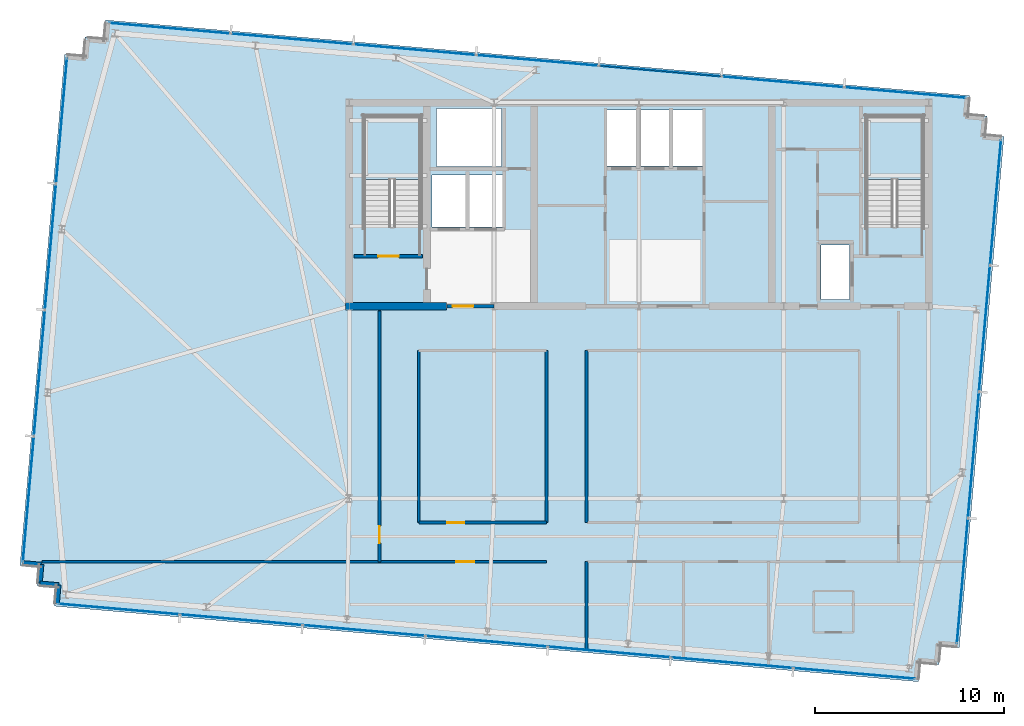
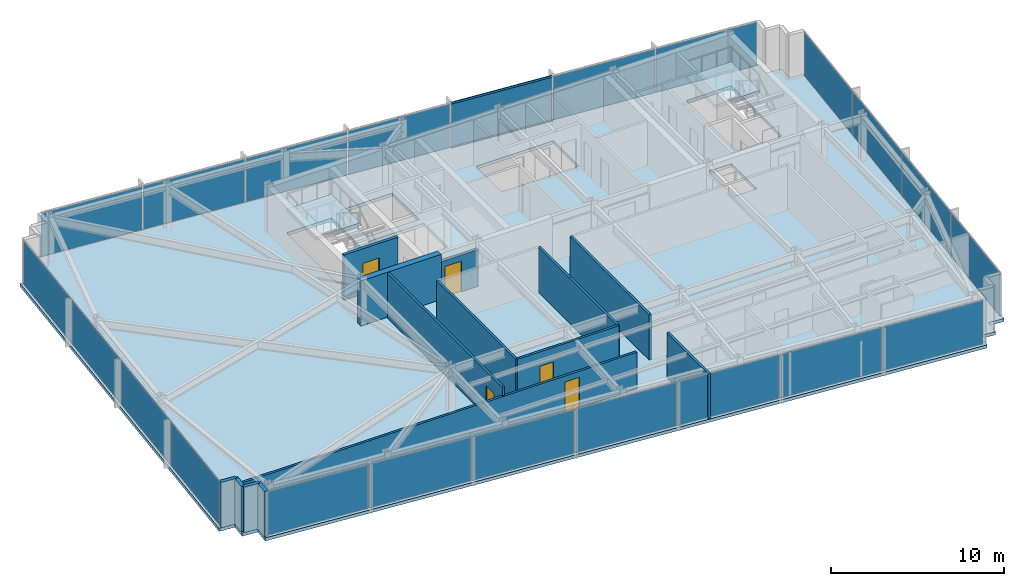
# One storey, part 26 of 32: 22 plates, 14 walls, 5 doors, 3 slabs, 2 members, 5 openings, 6 elements without a shape of their own.
"""IFC4 building model written with IfcOpenShell, lengths in metres."""

from ifc_helpers import new_model, si_unit, direction, frame, frame_2d, origin, origin_2d, place, context, subcontext, project, spatial, polyline, rectangle, hollow_rectangle, outline, extrude, material, layer, layer_set, material_profile, profile_set, type_object, element, fill, aggregate, save


model = new_model("IFC4")

# Units and contexts
model_context = context("Model", 3, precision=1e-05, world=origin(), true_north=direction((0.0, 1.0)))
body_context = subcontext(model_context, "Body", "Model", "MODEL_VIEW")
ifc_project = project(units=[si_unit("LENGTHUNIT", "METRE"), si_unit("AREAUNIT", "SQUARE_METRE"), si_unit("VOLUMEUNIT", "CUBIC_METRE"), si_unit("PLANEANGLEUNIT", "RADIAN"), si_unit("MASSUNIT", "GRAM", prefix="KILO")], contexts=[model_context])

# Site, building, storey
site_placement = place(None, origin())
site = spatial("IfcSite", under=ifc_project, at=site_placement, CompositionType="ELEMENT")
building_placement = place(site_placement, origin())
building = spatial("IfcBuilding", under=site, at=building_placement, Name="Yelkora Congress Tower", CompositionType="ELEMENT")
storey_placement = place(building_placement, frame((0.0, 0.0, 276.10009765625)))
storey = spatial("IfcBuildingStorey", under=building, at=storey_placement, Name="L77", CompositionType="ELEMENT", Elevation=276.10009765625)

# Curtain wall, members
ifc_material_1 = material(Name="Anodised aluminium and insulated glass", Category="aluminium")
curtain_wall_type = type_object("IfcCurtainWallType", Name="CW-SYS-B5", PredefinedType="NOTDEFINED", material=ifc_material_1)
curtain_wall_1_placement = place(storey_placement, origin())
curtain_wall_1 = element("IfcCurtainWall", 1, at=curtain_wall_1_placement, inside=storey, type_object=curtain_wall_type, Name="L77 Unitised Curtain Wall 10", PredefinedType="NOTDEFINED")
ifc_material_2 = material(Name="Anodised aluminium 6063-T6", Category="aluminium")
ifc_material_profile = material_profile(ifc_material_2, hollow_rectangle(XDim=0.06005859375, YDim=0.1298828125, WallThickness=0.00390625, at=origin_2d()), Name="ALU 60x130x4")
ifc_profile_set = profile_set([ifc_material_profile], Name="Anodised aluminium 6063-T6")
member_type = type_object("IfcMemberType", Name="MEM-TR-B5", PredefinedType="USERDEFINED", material=ifc_profile_set)
member_1_placement = place(storey_placement, frame((36.298583984375, 48.14794921875, 0.02978515625), z_axis=(0.996192979814, -0.08717538052, 0.0), x_axis=(0.08717538052, 0.996192979814, 0.0)))
member_1 = element("IfcMember", 2, at=member_1_placement, type_object=member_type, Name="CW-B5 transom 5.1", ObjectType="TRANSOM", PredefinedType="USERDEFINED", context=body_context, shape_type="SweptSolid", body=[
    extrude(hollow_rectangle(XDim=0.06005859375, YDim=0.1298828125, WallThickness=0.00390625, at=origin_2d()), origin(), (0.0, 0.0, 1.0), 6.466552734375),
])
member_2_placement = place(storey_placement, frame((36.298583984375, 48.14794921875, 3.14990234375), z_axis=(0.996192979814, -0.08717538052, 0.0), x_axis=(0.08717538052, 0.996192979814, 0.0)))
member_2 = element("IfcMember", 3, at=member_2_placement, type_object=member_type, Name="CW-B5 transom 5.2", ObjectType="TRANSOM", PredefinedType="USERDEFINED", context=body_context, shape_type="SweptSolid", body=[
    extrude(hollow_rectangle(XDim=0.06005859375, YDim=0.1298828125, WallThickness=0.00390625, at=origin_2d()), origin(), (0.0, 0.0, 1.0), 6.466552734375),
])

# Curtain wall, plates
curtain_wall_2_placement = place(storey_placement, origin())
curtain_wall_2 = element("IfcCurtainWall", 4, at=curtain_wall_2_placement, inside=storey, type_object=curtain_wall_type, Name="L77 Unitised Curtain Wall 5", PredefinedType="NOTDEFINED")
ifc_material_3 = material(Name="High-altitude triple glazed unit B5", Category="glass")
ifc_layer_1 = layer(ifc_material_3, 0.033935546875)
ifc_layer_set_1 = layer_set([ifc_layer_1], Name="High-altitude triple glazed unit B5")
plate_type = type_object("IfcPlateType", Name="PLT-PN-B5", PredefinedType="CURTAIN_PANEL", material=ifc_layer_set_1)
plate_1_placement = place(storey_placement, frame((6.021728515625, 25.16064453125, 0.059814453125), z_axis=(0.0, 0.0, 1.0), x_axis=(0.08715473876, 0.996194785929, 0.0)))
plate_1 = element("IfcPlate", 5, at=plate_1_placement, type_object=plate_type, Name="CW-B5 panel 1.1", PredefinedType="CURTAIN_PANEL", context=body_context, shape_type="SweptSolid", body=[
    extrude(rectangle(XDim=6.632568359375, YDim=0.033935546875, at=origin_2d()), origin(), (0.0, 0.0, 1.0), 3.06005859375),
])
plate_2_placement = place(storey_placement, frame((6.60693359375, 31.848876953125, 0.059814453125), z_axis=(0.0, 0.0, 1.0), x_axis=(0.08715473876, 0.996194785929, 0.0)))
plate_2 = element("IfcPlate", 6, at=plate_2_placement, type_object=plate_type, Name="CW-B5 panel 2.1", PredefinedType="CURTAIN_PANEL", context=body_context, shape_type="SweptSolid", body=[
    extrude(rectangle(XDim=6.6650390625, YDim=0.033935546875, at=origin_2d()), origin(), (0.0, 0.0, 1.0), 3.06005859375),
])
plate_3_placement = place(storey_placement, frame((7.193359375, 38.55322265625, 0.059814453125), z_axis=(0.0, 0.0, 1.0), x_axis=(0.08715473876, 0.996194785929, 0.0)))
plate_3 = element("IfcPlate", 7, at=plate_3_placement, type_object=plate_type, Name="CW-B5 panel 3.1", PredefinedType="CURTAIN_PANEL", context=body_context, shape_type="SweptSolid", body=[
    extrude(rectangle(XDim=6.6650390625, YDim=0.033935546875, at=origin_2d()), origin(), (0.0, 0.0, 1.0), 3.06005859375),
])
plate_4_placement = place(storey_placement, frame((7.778564453125, 45.2412109375, 0.059814453125), z_axis=(0.0, 0.0, 1.0), x_axis=(0.08715473876, 0.996194785929, 0.0)))
plate_4 = element("IfcPlate", 8, at=plate_4_placement, type_object=plate_type, Name="CW-B5 panel 4.1", PredefinedType="CURTAIN_PANEL", context=body_context, shape_type="SweptSolid", body=[
    extrude(rectangle(XDim=6.632568359375, YDim=0.033935546875, at=origin_2d()), origin(), (0.0, 0.0, 1.0), 3.06005859375),
])
aggregate(curtain_wall_2, [plate_1, plate_2, plate_3, plate_4])

# Plate
plate_5_placement = place(storey_placement, frame((13.509521484375, 50.141845703125, 0.059814453125), z_axis=(0.0, 0.0, 1.0), x_axis=(0.996194619601, -0.087156639893, 0.0)))
plate_5 = element("IfcPlate", 9, at=plate_5_placement, type_object=plate_type, Name="CW-B5 panel 1.1", PredefinedType="CURTAIN_PANEL", context=body_context, shape_type="SweptSolid", body=[
    extrude(rectangle(XDim=6.433837890625, YDim=0.033935546875, at=origin_2d()), origin(), (0.0, 0.0, 1.0), 3.06005859375),
])

plate_6_placement = place(storey_placement, frame((19.999755859375, 49.573974609375, 0.059814453125), z_axis=(0.0, 0.0, 1.0), x_axis=(0.996194619601, -0.087156639893, 0.0)))
plate_6 = element("IfcPlate", 10, at=plate_6_placement, type_object=plate_type, Name="CW-B5 panel 2.1", PredefinedType="CURTAIN_PANEL", context=body_context, shape_type="SweptSolid", body=[
    extrude(rectangle(XDim=6.46630859375, YDim=0.033935546875, at=origin_2d()), origin(), (0.0, 0.0, 1.0), 3.06005859375),
])

plate_7_placement = place(storey_placement, frame((26.50634765625, 49.004638671875, 0.059814453125), z_axis=(0.0, 0.0, 1.0), x_axis=(0.996194619601, -0.087156639893, 0.0)))
plate_7 = element("IfcPlate", 11, at=plate_7_placement, type_object=plate_type, Name="CW-B5 panel 3.1", PredefinedType="CURTAIN_PANEL", context=body_context, shape_type="SweptSolid", body=[
    extrude(rectangle(XDim=6.46630859375, YDim=0.033935546875, at=origin_2d()), origin(), (0.0, 0.0, 1.0), 3.06005859375),
])

plate_8_placement = place(storey_placement, frame((33.012939453125, 48.435302734375, 0.059814453125), z_axis=(0.0, 0.0, 1.0), x_axis=(0.996194619601, -0.087156639893, 0.0)))
plate_8 = element("IfcPlate", 12, at=plate_8_placement, type_object=plate_type, Name="CW-B5 panel 4.1", PredefinedType="CURTAIN_PANEL", context=body_context, shape_type="SweptSolid", body=[
    extrude(rectangle(XDim=6.46630859375, YDim=0.033935546875, at=origin_2d()), origin(), (0.0, 0.0, 1.0), 3.06005859375),
])

plate_9_placement = place(storey_placement, frame((39.51953125, 47.8662109375, 0.059814453125), z_axis=(0.0, 0.0, 1.0), x_axis=(0.996194619601, -0.087156639893, 0.0)))
plate_9 = element("IfcPlate", 13, at=plate_9_placement, type_object=plate_type, Name="CW-B5 panel 5.1", PredefinedType="CURTAIN_PANEL", context=body_context, shape_type="SweptSolid", body=[
    extrude(rectangle(XDim=6.46630859375, YDim=0.033935546875, at=origin_2d()), origin(), (0.0, 0.0, 1.0), 3.06005859375),
])

plate_10_placement = place(storey_placement, frame((46.026123046875, 47.296875, 0.059814453125), z_axis=(0.0, 0.0, 1.0), x_axis=(0.996194619601, -0.087156639893, 0.0)))
plate_10 = element("IfcPlate", 14, at=plate_10_placement, type_object=plate_type, Name="CW-B5 panel 6.1", PredefinedType="CURTAIN_PANEL", context=body_context, shape_type="SweptSolid", body=[
    extrude(rectangle(XDim=6.46630859375, YDim=0.033935546875, at=origin_2d()), origin(), (0.0, 0.0, 1.0), 3.06005859375),
])

plate_11_placement = place(storey_placement, frame((52.5166015625, 46.72900390625, 0.059814453125), z_axis=(0.0, 0.0, 1.0), x_axis=(0.996194619601, -0.087156639893, 0.0)))
plate_11 = element("IfcPlate", 15, at=plate_11_placement, type_object=plate_type, Name="CW-B5 panel 7.1", PredefinedType="CURTAIN_PANEL", context=body_context, shape_type="SweptSolid", body=[
    extrude(rectangle(XDim=6.433837890625, YDim=0.033935546875, at=origin_2d()), origin(), (0.0, 0.0, 1.0), 3.06005859375),
])

aggregate(curtain_wall_1, [plate_5, plate_6, plate_7, plate_8, member_1, member_2, plate_9, plate_10, plate_11])

# Curtain wall, plates
curtain_wall_3_placement = place(storey_placement, origin())
curtain_wall_3 = element("IfcCurtainWall", 16, at=curtain_wall_3_placement, inside=storey, type_object=curtain_wall_type, Name="L77 Unitised Curtain Wall 15", PredefinedType="NOTDEFINED")
plate_12_placement = place(storey_placement, frame((57.309326171875, 40.907958984375, 0.059814453125), z_axis=(0.0, 0.0, 1.0), x_axis=(-0.087158425264, -0.996194463398, 0.0)))
plate_12 = element("IfcPlate", 17, at=plate_12_placement, type_object=plate_type, Name="CW-B5 panel 1.1", PredefinedType="CURTAIN_PANEL", context=body_context, shape_type="SweptSolid", body=[
    extrude(rectangle(XDim=6.632568359375, YDim=0.033935546875, at=origin_2d()), origin(), (0.0, 0.0, 1.0), 3.06005859375),
])
plate_13_placement = place(storey_placement, frame((56.72412109375, 34.2197265625, 0.059814453125), z_axis=(0.0, 0.0, 1.0), x_axis=(-0.087158425264, -0.996194463398, 0.0)))
plate_13 = element("IfcPlate", 18, at=plate_13_placement, type_object=plate_type, Name="CW-B5 panel 2.1", PredefinedType="CURTAIN_PANEL", context=body_context, shape_type="SweptSolid", body=[
    extrude(rectangle(XDim=6.6650390625, YDim=0.033935546875, at=origin_2d()), origin(), (0.0, 0.0, 1.0), 3.06005859375),
])
plate_14_placement = place(storey_placement, frame((56.1376953125, 27.515380859375, 0.059814453125), z_axis=(0.0, 0.0, 1.0), x_axis=(-0.087158425264, -0.996194463398, 0.0)))
plate_14 = element("IfcPlate", 19, at=plate_14_placement, type_object=plate_type, Name="CW-B5 panel 3.1", PredefinedType="CURTAIN_PANEL", context=body_context, shape_type="SweptSolid", body=[
    extrude(rectangle(XDim=6.6650390625, YDim=0.033935546875, at=origin_2d()), origin(), (0.0, 0.0, 1.0), 3.06005859375),
])
plate_15_placement = place(storey_placement, frame((55.552490234375, 20.8271484375, 0.059814453125), z_axis=(0.0, 0.0, 1.0), x_axis=(-0.087158425264, -0.996194463398, 0.0)))
plate_15 = element("IfcPlate", 20, at=plate_15_placement, type_object=plate_type, Name="CW-B5 panel 4.1", PredefinedType="CURTAIN_PANEL", context=body_context, shape_type="SweptSolid", body=[
    extrude(rectangle(XDim=6.632568359375, YDim=0.033935546875, at=origin_2d()), origin(), (0.0, 0.0, 1.0), 3.06005859375),
])
aggregate(curtain_wall_3, [plate_12, plate_13, plate_14, plate_15])

curtain_wall_4_placement = place(storey_placement, origin())
curtain_wall_4 = element("IfcCurtainWall", 21, at=curtain_wall_4_placement, inside=storey, type_object=curtain_wall_type, Name="L77 Unitised Curtain Wall 20", PredefinedType="NOTDEFINED")
plate_16_placement = place(storey_placement, frame((49.821533203125, 15.9267578125, 0.059814453125), z_axis=(0.0, 0.0, 1.0), x_axis=(-0.996194602987, 0.087156829793, 0.0)))
plate_16 = element("IfcPlate", 22, at=plate_16_placement, type_object=plate_type, Name="CW-B5 panel 1.1", PredefinedType="CURTAIN_PANEL", context=body_context, shape_type="SweptSolid", body=[
    extrude(rectangle(XDim=6.433837890625, YDim=0.033935546875, at=origin_2d()), origin(), (0.0, 0.0, 1.0), 3.06005859375),
])
plate_17_placement = place(storey_placement, frame((43.331298828125, 16.49462890625, 0.059814453125), z_axis=(0.0, 0.0, 1.0), x_axis=(-0.996194602987, 0.087156829793, 0.0)))
plate_17 = element("IfcPlate", 23, at=plate_17_placement, type_object=plate_type, Name="CW-B5 panel 2.1", PredefinedType="CURTAIN_PANEL", context=body_context, shape_type="SweptSolid", body=[
    extrude(rectangle(XDim=6.46630859375, YDim=0.033935546875, at=origin_2d()), origin(), (0.0, 0.0, 1.0), 3.06005859375),
])
plate_18_placement = place(storey_placement, frame((36.82470703125, 17.06396484375, 0.059814453125), z_axis=(0.0, 0.0, 1.0), x_axis=(-0.996194602987, 0.087156829793, 0.0)))
plate_18 = element("IfcPlate", 24, at=plate_18_placement, type_object=plate_type, Name="CW-B5 panel 3.1", PredefinedType="CURTAIN_PANEL", context=body_context, shape_type="SweptSolid", body=[
    extrude(rectangle(XDim=6.46630859375, YDim=0.033935546875, at=origin_2d()), origin(), (0.0, 0.0, 1.0), 3.06005859375),
])
plate_19_placement = place(storey_placement, frame((30.318115234375, 17.633056640625, 0.059814453125), z_axis=(0.0, 0.0, 1.0), x_axis=(-0.996194602987, 0.087156829793, 0.0)))
plate_19 = element("IfcPlate", 25, at=plate_19_placement, type_object=plate_type, Name="CW-B5 panel 4.1", PredefinedType="CURTAIN_PANEL", context=body_context, shape_type="SweptSolid", body=[
    extrude(rectangle(XDim=6.46630859375, YDim=0.033935546875, at=origin_2d()), origin(), (0.0, 0.0, 1.0), 3.06005859375),
])
plate_20_placement = place(storey_placement, frame((23.8115234375, 18.202392578125, 0.059814453125), z_axis=(0.0, 0.0, 1.0), x_axis=(-0.996194602987, 0.087156829793, 0.0)))
plate_20 = element("IfcPlate", 26, at=plate_20_placement, type_object=plate_type, Name="CW-B5 panel 5.1", PredefinedType="CURTAIN_PANEL", context=body_context, shape_type="SweptSolid", body=[
    extrude(rectangle(XDim=6.46630859375, YDim=0.033935546875, at=origin_2d()), origin(), (0.0, 0.0, 1.0), 3.06005859375),
])
plate_21_placement = place(storey_placement, frame((17.304931640625, 18.771728515625, 0.059814453125), z_axis=(0.0, 0.0, 1.0), x_axis=(-0.996194602987, 0.087156829793, 0.0)))
plate_21 = element("IfcPlate", 27, at=plate_21_placement, type_object=plate_type, Name="CW-B5 panel 6.1", PredefinedType="CURTAIN_PANEL", context=body_context, shape_type="SweptSolid", body=[
    extrude(rectangle(XDim=6.46630859375, YDim=0.033935546875, at=origin_2d()), origin(), (0.0, 0.0, 1.0), 3.06005859375),
])
plate_22_placement = place(storey_placement, frame((10.814697265625, 19.33935546875, 0.059814453125), z_axis=(0.0, 0.0, 1.0), x_axis=(-0.996194602987, 0.087156829793, 0.0)))
plate_22 = element("IfcPlate", 28, at=plate_22_placement, type_object=plate_type, Name="CW-B5 panel 7.1", PredefinedType="CURTAIN_PANEL", context=body_context, shape_type="SweptSolid", body=[
    extrude(rectangle(XDim=6.433837890625, YDim=0.033935546875, at=origin_2d()), origin(), (0.0, 0.0, 1.0), 3.06005859375),
])
aggregate(curtain_wall_4, [plate_16, plate_17, plate_18, plate_19, plate_20, plate_21, plate_22])

# Stair, slab
ifc_material_4 = material(Name="Concrete C40/50", Category="concrete")
stair_type = type_object("IfcStairType", Name="STAIR-HT-1420-R20-170", PredefinedType="HALF_TURN_STAIR", material=ifc_material_4)
stair_1_placement = place(storey_placement, origin())
stair_1 = element("IfcStair", 29, at=stair_1_placement, inside=storey, type_object=stair_type, Name="West Core Protected Exit Stair ST-01 (L77)", PredefinedType="HALF_TURN_STAIR")
ifc_layer_2 = layer(ifc_material_4, 0.219970703125)
ifc_layer_set_2 = layer_set([ifc_layer_2], Name="Concrete C40/50")
slab_type_1 = type_object("IfcSlabType", Name="SLAB-LANDING-220", PredefinedType="LANDING", material=ifc_layer_set_2)
slab_1_placement = place(storey_placement, frame((0.0, 0.0, 1.47998046875)))
slab_1 = element("IfcSlab", 30, at=slab_1_placement, type_object=slab_type_1, Name="ST-01 L77 Half Landing 1", PredefinedType="LANDING", context=body_context, shape_type="SweptSolid", body=[
    extrude(outline(polyline([(26.820068359375, 42.1201171875), (26.820068359375, 45.469970703125), (23.820068359375, 45.469970703125), (23.820068359375, 42.1201171875), (26.820068359375, 42.1201171875)])), origin(), (0.0, 0.0, 1.0), 0.219970703125),
])
aggregate(stair_1, [slab_1])

stair_2_placement = place(storey_placement, origin())
stair_2 = element("IfcStair", 31, at=stair_2_placement, inside=storey, type_object=stair_type, Name="East Core Protected Exit Stair ST-02 (L77)", PredefinedType="HALF_TURN_STAIR")
slab_2_placement = place(storey_placement, frame((0.0, 0.0, 1.47998046875)))
slab_2 = element("IfcSlab", 32, at=slab_2_placement, type_object=slab_type_1, Name="ST-02 L77 Half Landing 1", PredefinedType="LANDING", context=body_context, shape_type="SweptSolid", body=[
    extrude(outline(polyline([(53.4599609375, 42.1201171875), (53.4599609375, 45.469970703125), (50.4599609375, 45.469970703125), (50.4599609375, 42.1201171875), (53.4599609375, 42.1201171875)])), origin(), (0.0, 0.0, 1.0), 0.219970703125),
])
aggregate(stair_2, [slab_2])

# Slab
ifc_layer_3 = layer(ifc_material_4, 0.219970703125)
ifc_layer_set_3 = layer_set([ifc_layer_3], Name="Concrete C40/50")
slab_type_2 = type_object("IfcSlabType", Name="SLAB-TWR-220", PredefinedType="FLOOR", material=ifc_layer_set_3)
slab_3_placement = place(storey_placement, frame((0.0, 0.0, -0.22021484375)))
element("IfcSlab", 33, at=slab_3_placement, inside=storey, type_object=slab_type_2, Name="L77 Structural Floor Slab", PredefinedType="FLOOR", context=body_context, shape_type="SweptSolid", body=[
    extrude(outline(polyline([(7.3935546875, 19.498291015625), (53.218505859375, 15.489013671875), (53.3056640625, 16.485107421875), (54.3017578125, 16.398193359375), (54.388916015625, 17.394287109375), (55.385009765625, 17.30712890625), (57.755859375, 44.403564453125), (56.759521484375, 44.49072265625), (56.8466796875, 45.487060546875), (55.8505859375, 45.57421875), (55.937744140625, 46.5703125), (10.11279296875, 50.57958984375), (10.025634765625, 49.583251953125), (9.029296875, 49.67041015625), (8.942138671875, 48.67431640625), (7.946044921875, 48.761474609375), (5.575439453125, 21.664794921875), (6.571533203125, 21.57763671875), (6.484619140625, 20.58154296875), (7.480712890625, 20.494384765625), (7.3935546875, 19.498291015625)]), holes=[polyline([(23.820068359375, 39.6298828125), (26.820068359375, 39.6298828125), (26.820068359375, 45.469970703125), (23.820068359375, 45.469970703125), (23.820068359375, 39.6298828125)]), polyline([(50.4599609375, 39.6298828125), (53.4599609375, 39.6298828125), (53.4599609375, 45.469970703125), (50.4599609375, 45.469970703125), (50.4599609375, 39.6298828125)]), polyline([(48.050048828125, 35.75), (49.550048828125, 35.75), (49.550048828125, 38.64990234375), (48.050048828125, 38.64990234375), (48.050048828125, 35.75)]), polyline([(36.64990234375, 42.85009765625), (41.800048828125, 42.85009765625), (41.800048828125, 45.800048828125), (36.64990234375, 45.800048828125), (36.64990234375, 42.85009765625)]), polyline([(27.419921875, 39.60009765625), (31.179931640625, 39.60009765625), (31.179931640625, 42.35009765625), (27.419921875, 42.35009765625), (27.419921875, 39.60009765625)]), polyline([(27.64990234375, 42.820068359375), (31.1201171875, 42.820068359375), (31.1201171875, 45.8798828125), (27.64990234375, 45.8798828125), (27.64990234375, 42.820068359375)])]), origin(), (0.0, 0.0, 1.0), 0.22021484375),
])

# Walls
ifc_material_5 = material(Name="Concrete C50/60", Category="concrete")
ifc_layer_4 = layer(ifc_material_5, 0.39990234375)
ifc_layer_set_4 = layer_set([ifc_layer_4], Name="Concrete C50/60")
wall_type_1 = type_object("IfcWallType", Name="WALL-CORE-INT-400", PredefinedType="SHEAR", material=ifc_layer_set_4)
wall_1_placement = place(storey_placement, frame((22.840087890625, 35.39990234375, 0.0), z_axis=(0.0, 0.0, 1.0), x_axis=(1.0, 0.0, 0.0)))
element("IfcWall", 34, at=wall_1_placement, inside=storey, type_object=wall_type_1, Name="L77 Rear Core South-West Shear Wall", PredefinedType="SHEAR", context=body_context, shape_type="SweptSolid", body=[
    extrude(rectangle(XDim=5.35986328125, YDim=0.39990234375, at=frame_2d((2.679931640625, 0.0))), origin(), (0.0, 0.0, 1.0), 3.179931640625),
])
ifc_layer_5 = layer(ifc_material_4, 0.239990234375)
ifc_layer_set_5 = layer_set([ifc_layer_5], Name="Concrete C40/50")
wall_type_2 = type_object("IfcWallType", Name="WALL-EXT-LIMESTONE-240", PredefinedType="SOLIDWALL", material=ifc_layer_set_5)
for number, where, z_axis, x_axis, name in (
    (35, (7.545166015625, 19.62548828125, 0.0), (0.0, 0.0, 1.0), (0.087166950281, 0.996193717496, 0.0), "L77 Serrated Corner Limestone Pier 1"),
    (36, (7.63232421875, 20.62158203125, 0.0), (0.0, 0.0, 1.0), (-0.996193717496, 0.087166950281, 0.0), "L77 Serrated Corner Limestone Pier 2"),
):
    element("IfcWall", number, at=place(storey_placement, frame(where, z_axis=z_axis, x_axis=x_axis)), inside=storey, type_object=wall_type_2, Name=name, PredefinedType="SOLIDWALL", context=body_context, shape_type="SweptSolid", body=[
        extrude(rectangle(XDim=1.0, YDim=0.239990234375, at=frame_2d((0.5, 0.0))), origin(), (0.0, 0.0, 1.0), 3.179931640625),
    ])
for number, where, z_axis, x_axis, name in (
    (37, (6.63623046875, 20.708740234375, 0.0), (0.0, 0.0, 1.0), (0.087145753297, 0.996195572005, 0.0), "L77 Serrated Corner Limestone Pier 3"),
    (38, (6.723388671875, 21.705078125, 0.0), (0.0, 0.0, 1.0), (-0.996195572005, 0.087145753297, 0.0), "L77 Serrated Corner Limestone Pier 4"),
):
    element("IfcWall", number, at=place(storey_placement, frame(where, z_axis=z_axis, x_axis=x_axis)), inside=storey, type_object=wall_type_2, Name=name, PredefinedType="SOLIDWALL", context=body_context, shape_type="SweptSolid", body=[
        extrude(rectangle(XDim=1.000244140625, YDim=0.239990234375, at=frame_2d((0.5, 0.0))), origin(), (0.0, 0.0, 1.0), 3.179931640625),
    ])

# Wall, opening, door
ifc_material_6 = material(Name="Acoustic metal-stud gypsum partition", Category="gypsum")
ifc_layer_6 = layer(ifc_material_6, 0.14990234375)
ifc_layer_set_6 = layer_set([ifc_layer_6], Name="Acoustic metal-stud gypsum partition")
wall_type_3 = type_object("IfcWallType", Name="WALL-INT-150-NR", PredefinedType="PARTITIONING", material=ifc_layer_set_6)
wall_2_placement = place(storey_placement, frame((24.639892578125, 21.85009765625, 0.0), z_axis=(0.0, 0.0, 1.0), x_axis=(0.0, 1.0, 0.0)))
wall_2 = element("IfcWall", 39, at=wall_2_placement, inside=storey, type_object=wall_type_3, Name="L77 Partition Wall 32", PredefinedType="PARTITIONING", context=body_context, shape_type="SweptSolid", body=[
    extrude(rectangle(XDim=13.289794921875, YDim=0.14990234375, at=frame_2d((6.64501953125, 0.0))), origin(), (0.0, 0.0, 1.0), 3.179931640625),
])
opening_1_placement = place(wall_2_placement, frame((0.984375, 0.0, 0.0)))
opening_1 = element("IfcOpeningElement", 40, at=opening_1_placement, cuts=wall_2, Name="Opening DR-090N", PredefinedType="OPENING", context=body_context, shape_type="SweptSolid", body=[
    extrude(rectangle(XDim=0.89990234375, YDim=2.14990234375, at=frame_2d((0.449951171875, 1.074951171875))), frame((0.0, 0.0849609375, 0.0), z_axis=(0.0, -1.0, 0.0), x_axis=(1.0, 0.0, 0.0)), (0.0, 0.0, 1.0), 0.169921875),
])
ifc_material_7 = material(Name="Moisture-resistant laminate door leaf", Category="wood")
door_type_1 = type_object("IfcDoorType", Name="DOOR-INT-900", OperationType="NOTDEFINED", PredefinedType="DOOR", material=ifc_material_7)
door_1_placement = place(opening_1_placement, origin())
door_1 = element("IfcDoor", 41, at=door_1_placement, inside=storey, type_object=door_type_1, Name="L77 W Wing Door", OperationType="SINGLE_SWING_LEFT", OverallHeight=2.14990234375, OverallWidth=0.89990234375, PredefinedType="DOOR", context=body_context, shape_type="SweptSolid", body=[
    extrude(rectangle(XDim=0.89990234375, YDim=2.14990234375, at=frame_2d((0.449951171875, 1.074951171875))), frame((0.0, 0.02490234375, 0.0), z_axis=(0.0, -1.0, 0.0), x_axis=(1.0, 0.0, 0.0)), (0.0, 0.0, 1.0), 0.050048828125),
])
fill(opening_1, door_1)

# Walls
for number, where, z_axis, x_axis, name in (
    (42, (26.719970703125, 23.929931640625, 0.0), (0.0, 0.0, 1.0), (0.0, 1.0, 0.0), "L77 Partition Wall 34"),
    (43, (33.5, 23.929931640625, 0.0), (0.0, 0.0, 1.0), (0.0, 1.0, 0.0), "L77 Partition Wall 36"),
    (44, (35.6201171875, 23.929931640625, 0.0), (0.0, 0.0, 1.0), (0.0, 1.0, 0.0), "L77 Partition Wall 37"),
):
    element("IfcWall", number, at=place(storey_placement, frame(where, z_axis=z_axis, x_axis=x_axis)), inside=storey, type_object=wall_type_3, Name=name, PredefinedType="PARTITIONING", context=body_context, shape_type="SweptSolid", body=[
        extrude(rectangle(XDim=9.1201171875, YDim=0.14990234375, at=frame_2d((4.56005859375, 0.0))), origin(), (0.0, 0.0, 1.0), 3.179931640625),
    ])

# Wall, opening, door
wall_3_placement = place(storey_placement, frame((26.739990234375, 23.929931640625, 0.0), z_axis=(0.0, 0.0, 1.0), x_axis=(1.0, 0.0, 0.0)))
wall_3 = element("IfcWall", 45, at=wall_3_placement, inside=storey, type_object=wall_type_3, Name="L77 Partition Wall 40", PredefinedType="PARTITIONING", context=body_context, shape_type="SweptSolid", body=[
    extrude(rectangle(XDim=6.75, YDim=0.14990234375, at=frame_2d((3.375, 0.0))), origin(), (0.0, 0.0, 1.0), 3.179931640625),
])
opening_2_placement = place(wall_3_placement, frame((1.503173828125, 0.0, 0.0)))
opening_2 = element("IfcOpeningElement", 46, at=opening_2_placement, cuts=wall_3, Name="Opening DR-090N", PredefinedType="OPENING", context=body_context, shape_type="SweptSolid", body=[
    extrude(rectangle(XDim=0.89990234375, YDim=2.14990234375, at=frame_2d((0.449951171875, 1.074951171875))), frame((0.0, 0.0849609375, 0.0), z_axis=(0.0, -1.0, 0.0), x_axis=(1.0, 0.0, 0.0)), (0.0, 0.0, 1.0), 0.169921875),
])
door_2_placement = place(opening_2_placement, origin())
door_2 = element("IfcDoor", 47, at=door_2_placement, inside=storey, type_object=door_type_1, Name="L77 Housekeeping & Linen Room Door", OperationType="SINGLE_SWING_LEFT", OverallHeight=2.14990234375, OverallWidth=0.89990234375, PredefinedType="DOOR", context=body_context, shape_type="SweptSolid", body=[
    extrude(rectangle(XDim=0.89990234375, YDim=2.14990234375, at=frame_2d((0.449951171875, 1.074951171875))), frame((0.0, 0.02490234375, 0.0), z_axis=(0.0, -1.0, 0.0), x_axis=(1.0, 0.0, 0.0)), (0.0, 0.0, 1.0), 0.050048828125),
])
fill(opening_2, door_2)

# Wall
ifc_material_8 = material(Name="Twin-stud fire-rated gypsum partition", Category="gypsum")
ifc_layer_7 = layer(ifc_material_8, 0.14990234375)
ifc_layer_set_7 = layer_set([ifc_layer_7], Name="Twin-stud fire-rated gypsum partition")
wall_type_4 = type_object("IfcWallType", Name="WALL-INT-150-R60", PredefinedType="PARTITIONING", material=ifc_layer_set_7)
wall_4_placement = place(storey_placement, frame((35.6201171875, 17.10888671875, 0.0), z_axis=(0.0, 0.0, 1.0), x_axis=(0.0, 1.0, 0.0)))
element("IfcWall", 48, at=wall_4_placement, inside=storey, type_object=wall_type_4, Name="L77 Partition Wall 23", PredefinedType="PARTITIONING", context=body_context, shape_type="SweptSolid", body=[
    extrude(rectangle(XDim=4.76123046875, YDim=0.14990234375, at=frame_2d((2.380615234375, 0.0))), origin(), (0.0, 0.0, 1.0), 3.179931640625),
])

# Wall, opening, door
wall_5_placement = place(storey_placement, frame((6.739990234375, 21.85009765625, 0.0), z_axis=(0.0, 0.0, 1.0), x_axis=(1.0, 0.0, 0.0)))
wall_5 = element("IfcWall", 49, at=wall_5_placement, inside=storey, type_object=wall_type_4, Name="L77 South Spine Wall West", PredefinedType="PARTITIONING", context=body_context, shape_type="SweptSolid", body=[
    extrude(rectangle(XDim=26.760009765625, YDim=0.14990234375, at=frame_2d((13.3798828125, 0.0))), origin(), (0.0, 0.0, 1.0), 2.574951171875),
])
opening_3_placement = place(wall_5_placement, frame((21.965087890625, 0.0, 0.0)))
opening_3 = element("IfcOpeningElement", 50, at=opening_3_placement, cuts=wall_5, Name="Opening DR-095F6", PredefinedType="OPENING", context=body_context, shape_type="SweptSolid", body=[
    extrude(rectangle(XDim=0.949951171875, YDim=2.14990234375, at=frame_2d((0.47509765625, 1.074951171875))), frame((0.0, 0.0849609375, 0.0), z_axis=(0.0, -1.0, 0.0), x_axis=(1.0, 0.0, 0.0)), (0.0, 0.0, 1.0), 0.169921875),
])
ifc_material_9 = material(Name="Acoustic oak-veneer fire door leaf", Category="wood")
door_type_2 = type_object("IfcDoorType", Name="DOOR-FD60-950", OperationType="NOTDEFINED", PredefinedType="DOOR", material=ifc_material_9)
door_3_placement = place(opening_3_placement, origin())
door_3 = element("IfcDoor", 51, at=door_3_placement, inside=storey, type_object=door_type_2, Name="L77 VIP Hospitality Lounge Entry Door", OperationType="SINGLE_SWING_LEFT", OverallHeight=2.14990234375, OverallWidth=0.949951171875, PredefinedType="DOOR", context=body_context, shape_type="SweptSolid", body=[
    extrude(rectangle(XDim=0.949951171875, YDim=2.14990234375, at=frame_2d((0.47509765625, 1.074951171875))), frame((0.0, 0.02490234375, 0.0), z_axis=(0.0, -1.0, 0.0), x_axis=(1.0, 0.0, 0.0)), (0.0, 0.0, 1.0), 0.050048828125),
])
fill(opening_3, door_3)

ifc_material_10 = material(Name="Autoclaved aerated concrete blockwork", Category="masonry")
ifc_layer_8 = layer(ifc_material_10, 0.199951171875)
ifc_layer_set_8 = layer_set([ifc_layer_8], Name="Autoclaved aerated concrete blockwork")
wall_type_5 = type_object("IfcWallType", Name="WALL-INT-200-R120", PredefinedType="PARTITIONING", material=ifc_layer_set_8)
wall_6_placement = place(storey_placement, frame((23.300048828125, 38.050048828125, 0.0), z_axis=(0.0, 0.0, 1.0), x_axis=(1.0, 0.0, 0.0)))
wall_6 = element("IfcWall", 52, at=wall_6_placement, inside=storey, type_object=wall_type_5, Name="L77 Stair ST-01 Enclosure Wall", PredefinedType="PARTITIONING", context=body_context, shape_type="SweptSolid", body=[
    extrude(rectangle(XDim=3.619873046875, YDim=0.199951171875, at=frame_2d((1.81005859375, 0.0))), origin(), (0.0, 0.0, 1.0), 3.179931640625),
])
opening_4_placement = place(wall_6_placement, frame((1.260009765625, 0.0, 0.0)))
opening_4 = element("IfcOpeningElement", 53, at=opening_4_placement, cuts=wall_6, Name="Opening DR-110F9", PredefinedType="OPENING", context=body_context, shape_type="SweptSolid", body=[
    extrude(rectangle(XDim=1.10009765625, YDim=2.14990234375, at=frame_2d((0.550048828125, 1.074951171875))), frame((0.0, 0.10986328125, 0.0), z_axis=(0.0, -1.0, 0.0), x_axis=(1.0, 0.0, 0.0)), (0.0, 0.0, 1.0), 0.219970703125),
])
ifc_material_11 = material(Name="Galvanised steel fire door leaf", Category="steel")
door_type_3 = type_object("IfcDoorType", Name="DOOR-FD90-1100", OperationType="NOTDEFINED", PredefinedType="DOOR", material=ifc_material_11)
door_4_placement = place(opening_4_placement, origin())
door_4 = element("IfcDoor", 54, at=door_4_placement, inside=storey, type_object=door_type_3, Name="L77 Stair ST-01 Entry Door", OperationType="SINGLE_SWING_LEFT", OverallHeight=2.14990234375, OverallWidth=1.10009765625, PredefinedType="DOOR", context=body_context, shape_type="SweptSolid", body=[
    extrude(rectangle(XDim=1.10009765625, YDim=2.14990234375, at=frame_2d((0.550048828125, 1.074951171875))), frame((0.0, 0.02490234375, 0.0), z_axis=(0.0, -1.0, 0.0), x_axis=(1.0, 0.0, 0.0)), (0.0, 0.0, 1.0), 0.050048828125),
])
fill(opening_4, door_4)

wall_7_placement = place(storey_placement, frame((28.219970703125, 35.39990234375, 0.0), z_axis=(0.0, 0.0, 1.0), x_axis=(1.0, 0.0, 0.0)))
wall_7 = element("IfcWall", 55, at=wall_7_placement, inside=storey, type_object=wall_type_5, Name="L77 Firefighting Lobby South Wall", PredefinedType="PARTITIONING", context=body_context, shape_type="SweptSolid", body=[
    extrude(rectangle(XDim=2.5, YDim=0.199951171875, at=frame_2d((1.25, 0.0))), origin(), (0.0, 0.0, 1.0), 2.574951171875),
])
opening_5_placement = place(wall_7_placement, frame((0.300048828125, 0.0, 0.0)))
opening_5 = element("IfcOpeningElement", 56, at=opening_5_placement, cuts=wall_7, Name="Opening DR-110F9", PredefinedType="OPENING", context=body_context, shape_type="SweptSolid", body=[
    extrude(rectangle(XDim=1.10009765625, YDim=2.14990234375, at=frame_2d((0.550048828125, 1.074951171875))), frame((0.0, 0.10986328125, 0.0), z_axis=(0.0, -1.0, 0.0), x_axis=(1.0, 0.0, 0.0)), (0.0, 0.0, 1.0), 0.219970703125),
])
door_5_placement = place(opening_5_placement, origin())
door_5 = element("IfcDoor", 57, at=door_5_placement, inside=storey, type_object=door_type_3, Name="L77 Firefighting Lobby Corridor Door", OperationType="SINGLE_SWING_RIGHT", OverallHeight=2.14990234375, OverallWidth=1.10009765625, PredefinedType="DOOR", context=body_context, shape_type="SweptSolid", body=[
    extrude(rectangle(XDim=1.10009765625, YDim=2.14990234375, at=frame_2d((0.550048828125, 1.074951171875))), frame((0.0, 0.02490234375, 0.0), z_axis=(0.0, -1.0, 0.0), x_axis=(1.0, 0.0, 0.0)), (0.0, 0.0, 1.0), 0.050048828125),
])
fill(opening_5, door_5)

save(model, "model.ifc")
